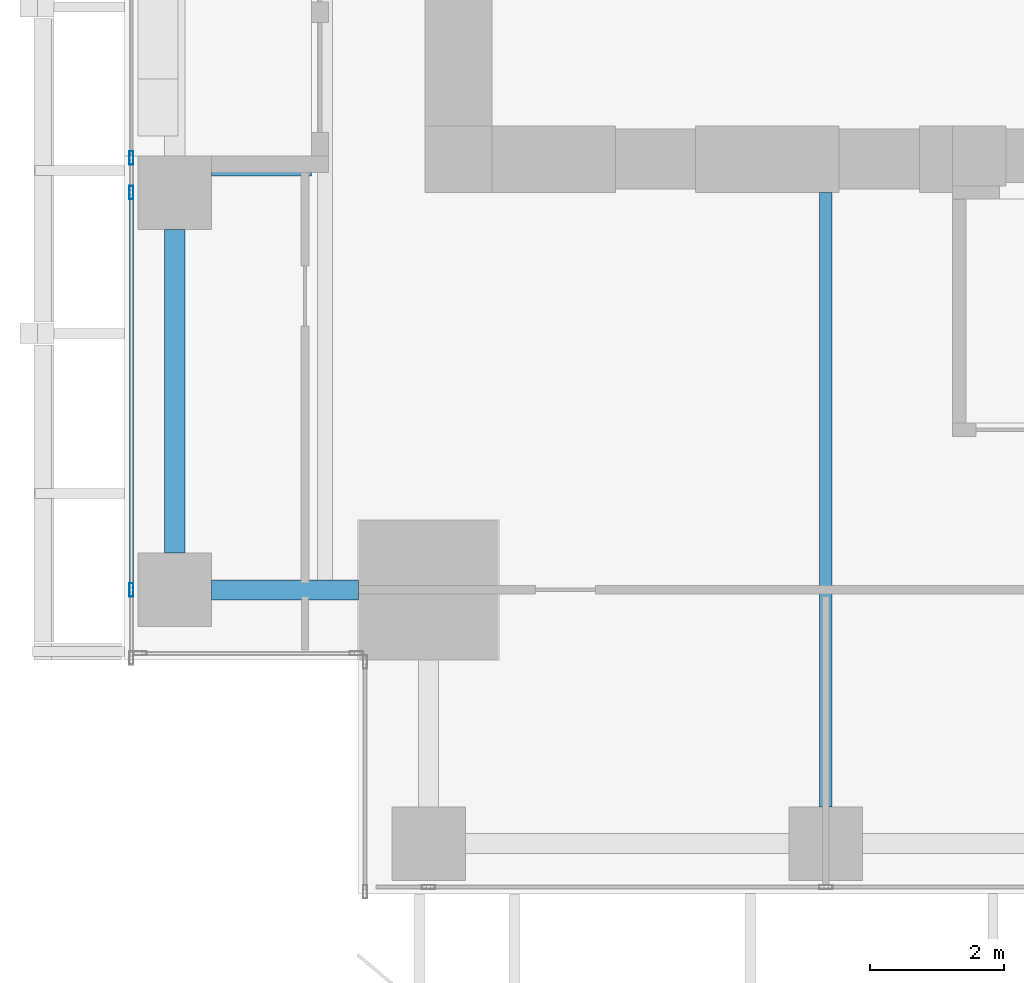
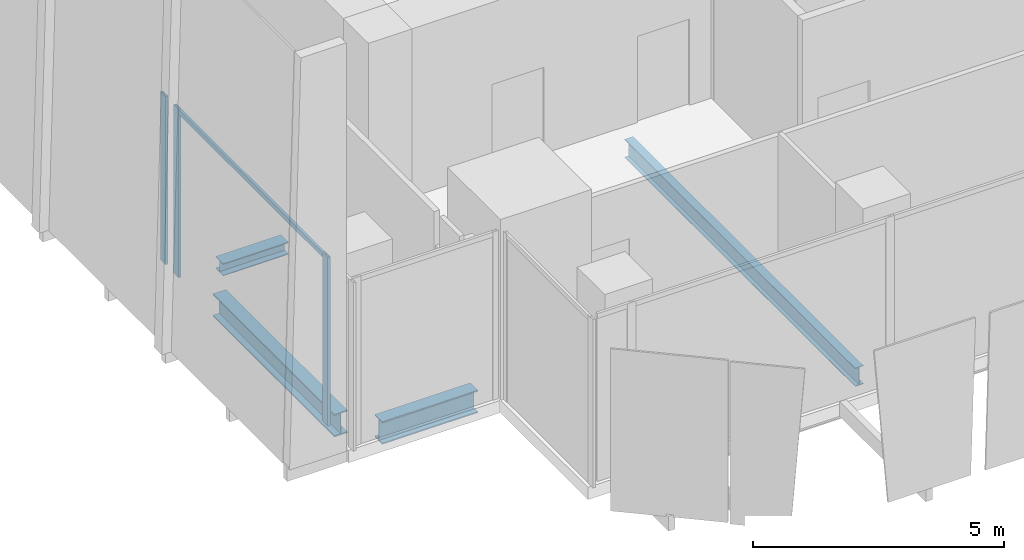
# One storey, part 4 of 34: 4 beams, 4 members, 1 element without a shape of its own.
"""IFC4 building model written with IfcOpenShell, lengths in metres."""

from ifc_helpers import new_model, si_unit, direction, frame, origin, origin_2d, place, context, subcontext, project, spatial, hollow_rectangle, i_section, extrude, source, transform, mapped, material, material_profile, profile_set, type_object, element, aggregate, save


model = new_model("IFC4")

# Units and contexts
model_context = context("Model", 3, precision=1e-05, world=origin(), true_north=direction((0.0, 1.0)))
body_context = subcontext(model_context, "Body", "Model", "MODEL_VIEW")
ifc_project = project(units=[si_unit("LENGTHUNIT", "METRE"), si_unit("AREAUNIT", "SQUARE_METRE"), si_unit("VOLUMEUNIT", "CUBIC_METRE"), si_unit("PLANEANGLEUNIT", "RADIAN"), si_unit("MASSUNIT", "GRAM", prefix="KILO")], contexts=[model_context])

# Site, building, storey
site_placement = place(None, origin())
site = spatial("IfcSite", under=ifc_project, at=site_placement, CompositionType="ELEMENT")
building_placement = place(site_placement, origin())
building = spatial("IfcBuilding", under=site, at=building_placement, Name="Khomas Fold Tower", CompositionType="ELEMENT")
storey_placement = place(building_placement, frame((0.0, 0.0, 154.300048828125)))
storey = spatial("IfcBuildingStorey", under=building, at=storey_placement, Name="L33", CompositionType="ELEMENT", Elevation=154.300048828125)

# Beams
ifc_material_1 = material(Name="Steel S355", Category="steel")
ifc_material_profile_1 = material_profile(ifc_material_1, i_section(OverallWidth=0.300048828125, OverallDepth=0.550048828125, WebThickness=0.014892578125, FlangeThickness=0.029052734375, at=origin_2d()), Name="HE 550 B")
ifc_profile_set_1 = profile_set([ifc_material_profile_1], Name="Steel S355")
beam_type_1 = type_object("IfcBeamType", Name="HE 550 B spandrel SB2", PredefinedType="SPANDREL", material=ifc_profile_set_1)
shared_shape_1 = source(origin(), body_context, "Body", "SweptSolid", [
    extrude(i_section(OverallWidth=0.300048828125, OverallDepth=0.550048828125, WebThickness=0.014892578125, FlangeThickness=0.029052734375, at=origin_2d()), origin(), (0.0, 0.0, 1.0), 4.849853515625),
])
beam_1_placement = place(storey_placement, frame((2.25, 6.60009765625, -0.574951171875), z_axis=(0.0, 1.0, 0.0), x_axis=(-1.0, 0.0, 0.0)))
element("IfcBeam", 1, at=beam_1_placement, inside=storey, type_object=beam_type_1, Name="SB2", PredefinedType="SPANDREL", context=body_context, shape_type="MappedRepresentation", body=[
    mapped(shared_shape_1, transform((0.0, 0.0, 0.0))),
])
shared_shape_2 = source(origin(), body_context, "Body", "SweptSolid", [
    extrude(i_section(OverallWidth=0.300048828125, OverallDepth=0.550048828125, WebThickness=0.014892578125, FlangeThickness=0.029052734375, at=origin_2d()), origin(), (0.0, 0.0, 1.0), 2.199951171875),
])
beam_2_placement = place(storey_placement, frame((2.800048828125, 6.050048828125, -0.574951171875), z_axis=(1.0, 0.0, 0.0), x_axis=(0.0, 1.0, 0.0)))
element("IfcBeam", 2, at=beam_2_placement, inside=storey, type_object=beam_type_1, Name="SB2", PredefinedType="SPANDREL", context=body_context, shape_type="MappedRepresentation", body=[
    mapped(shared_shape_2, transform((0.0, 0.0, 0.0))),
])
ifc_material_2 = material(Name="Steel S355", Category="steel")
ifc_material_profile_2 = material_profile(ifc_material_2, i_section(OverallWidth=0.18994140625, OverallDepth=0.449951171875, WebThickness=0.009521484375, FlangeThickness=0.0146484375, at=origin_2d()), Name="IPE 450")
ifc_profile_set_2 = profile_set([ifc_material_profile_2], Name="Steel S355")
beam_type_2 = type_object("IfcBeamType", Name="IPE 450 beam JB4", PredefinedType="BEAM", material=ifc_profile_set_2)
shared_shape_3 = source(origin(), body_context, "Body", "SweptSolid", [
    extrude(i_section(OverallWidth=0.18994140625, OverallDepth=0.449951171875, WebThickness=0.009521484375, FlangeThickness=0.0146484375, at=origin_2d()), origin(), (0.0, 0.0, 1.0), 9.199951171875),
])
beam_3_placement = place(storey_placement, frame((12.0, 2.800048828125, -0.525146484375), z_axis=(0.0, 1.0, 0.0), x_axis=(-1.0, 0.0, 0.0)))
element("IfcBeam", 3, at=beam_3_placement, inside=storey, type_object=beam_type_2, Name="JB4", PredefinedType="BEAM", context=body_context, shape_type="MappedRepresentation", body=[
    mapped(shared_shape_3, transform((0.0, 0.0, 0.0))),
])
ifc_material_3 = material(Name="Steel S355", Category="steel")
ifc_material_profile_3 = material_profile(ifc_material_3, i_section(OverallWidth=0.300048828125, OverallDepth=0.300048828125, WebThickness=0.010986328125, FlangeThickness=0.01904296875, at=origin_2d()), Name="HE 300 B")
ifc_profile_set_3 = profile_set([ifc_material_profile_3], Name="Steel S355")
beam_type_3 = type_object("IfcBeamType", Name="HE 300 B beam BB1", PredefinedType="BEAM", material=ifc_profile_set_3)
shared_shape_4 = source(origin(), body_context, "Body", "SweptSolid", [
    extrude(i_section(OverallWidth=0.300048828125, OverallDepth=0.300048828125, WebThickness=0.010986328125, FlangeThickness=0.01904296875, at=origin_2d()), origin(), (0.0, 0.0, 1.0), 1.5),
])
beam_4_placement = place(storey_placement, frame((2.800048828125, 12.39990234375, -0.449951171875), z_axis=(1.0, 0.0, 0.0), x_axis=(0.0, 1.0, 0.0)))
element("IfcBeam", 4, at=beam_4_placement, inside=storey, type_object=beam_type_3, Name="BB1", PredefinedType="BEAM", context=body_context, shape_type="MappedRepresentation", body=[
    mapped(shared_shape_4, transform((0.0, 0.0, 0.0))),
])

# Curtain wall, members
ifc_material_4 = material(Name="Aluminium framed double glazing", Category="aluminium")
curtain_wall_type = type_object("IfcCurtainWallType", Name="SK-Unitised clear-glass wall, growing floors CW1", PredefinedType="NOTDEFINED", material=ifc_material_4)
curtain_wall_placement = place(storey_placement, origin())
curtain_wall = element("IfcCurtainWall", 5, at=curtain_wall_placement, inside=storey, type_object=curtain_wall_type, Name="CW1 run L33 09-1", PredefinedType="NOTDEFINED")
ifc_material_5 = material(Name="Aluminium", Category="aluminium")
ifc_material_profile_4 = material_profile(ifc_material_5, hollow_rectangle(XDim=0.06005859375, YDim=0.1201171875, WallThickness=0.00390625, at=origin_2d()), Name="SK-Unitised clear-glass wall, growing floors transom CW1-T")
ifc_profile_set_4 = profile_set([ifc_material_profile_4], Name="Aluminium")
member_type_1 = type_object("IfcMemberType", Name="SK-Unitised clear-glass wall, growing floors transom CW1-T", PredefinedType="USERDEFINED", material=ifc_profile_set_4)
shared_shape_5 = source(origin(), body_context, "Body", "SweptSolid", [
    extrude(hollow_rectangle(XDim=0.06005859375, YDim=0.1201171875, WallThickness=0.00390625, at=origin_2d()), origin(), (0.0, 0.0, 1.0), 5.889892578125),
])
member_1_placement = place(storey_placement, frame((1.60009765625, 11.969970703125, 4.0400390625), z_axis=(0.0, -1.0, 0.0), x_axis=(1.0, 0.0, 0.0)))
member_1 = element("IfcMember", 6, at=member_1_placement, type_object=member_type_1, Name="CW1 transom 2", ObjectType="TRANSOM", PredefinedType="USERDEFINED", context=body_context, shape_type="MappedRepresentation", body=[
    mapped(shared_shape_5, transform((0.0, 0.0, 0.0))),
])
ifc_material_6 = material(Name="Aluminium", Category="aluminium")
ifc_material_profile_5 = material_profile(ifc_material_6, hollow_rectangle(XDim=0.06005859375, YDim=0.199951171875, WallThickness=0.00390625, at=origin_2d()), Name="SK-Unitised clear-glass wall, growing floors mullion CW1-M")
ifc_profile_set_5 = profile_set([ifc_material_profile_5], Name="Aluminium")
member_type_2 = type_object("IfcMemberType", Name="SK-Unitised clear-glass wall, growing floors mullion CW1-M", PredefinedType="MULLION", material=ifc_profile_set_5)
shared_shape_6 = source(origin(), body_context, "Body", "SweptSolid", [
    extrude(hollow_rectangle(XDim=0.06005859375, YDim=0.199951171875, WallThickness=0.00390625, at=origin_2d()), origin(), (0.0, 0.0, 1.0), 4.099853515625),
])
member_2_placement = place(storey_placement, frame((1.60009765625, 12.52001953125, 0.0), z_axis=(0.0, 0.0, 1.0), x_axis=(1.0, 0.0, 0.0)))
member_2 = element("IfcMember", 7, at=member_2_placement, type_object=member_type_2, Name="CW1 mullion 1", PredefinedType="MULLION", context=body_context, shape_type="MappedRepresentation", body=[
    mapped(shared_shape_6, transform((0.0, 0.0, 0.0))),
])
member_3_placement = place(storey_placement, frame((1.60009765625, 12.0, 0.0), z_axis=(0.0, 0.0, 1.0), x_axis=(1.0, 0.0, 0.0)))
member_3 = element("IfcMember", 8, at=member_3_placement, type_object=member_type_2, Name="CW1 mullion 2", PredefinedType="MULLION", context=body_context, shape_type="MappedRepresentation", body=[
    mapped(shared_shape_6, transform((0.0, 0.0, 0.0))),
])
member_4_placement = place(storey_placement, frame((1.60009765625, 6.050048828125, 0.0), z_axis=(0.0, 0.0, 1.0), x_axis=(1.0, 0.0, 0.0)))
member_4 = element("IfcMember", 9, at=member_4_placement, type_object=member_type_2, Name="CW1 mullion 3", PredefinedType="MULLION", context=body_context, shape_type="MappedRepresentation", body=[
    mapped(shared_shape_6, transform((0.0, 0.0, 0.0))),
])
aggregate(curtain_wall, [member_2, member_3, member_4, member_1])

save(model, "model.ifc")
